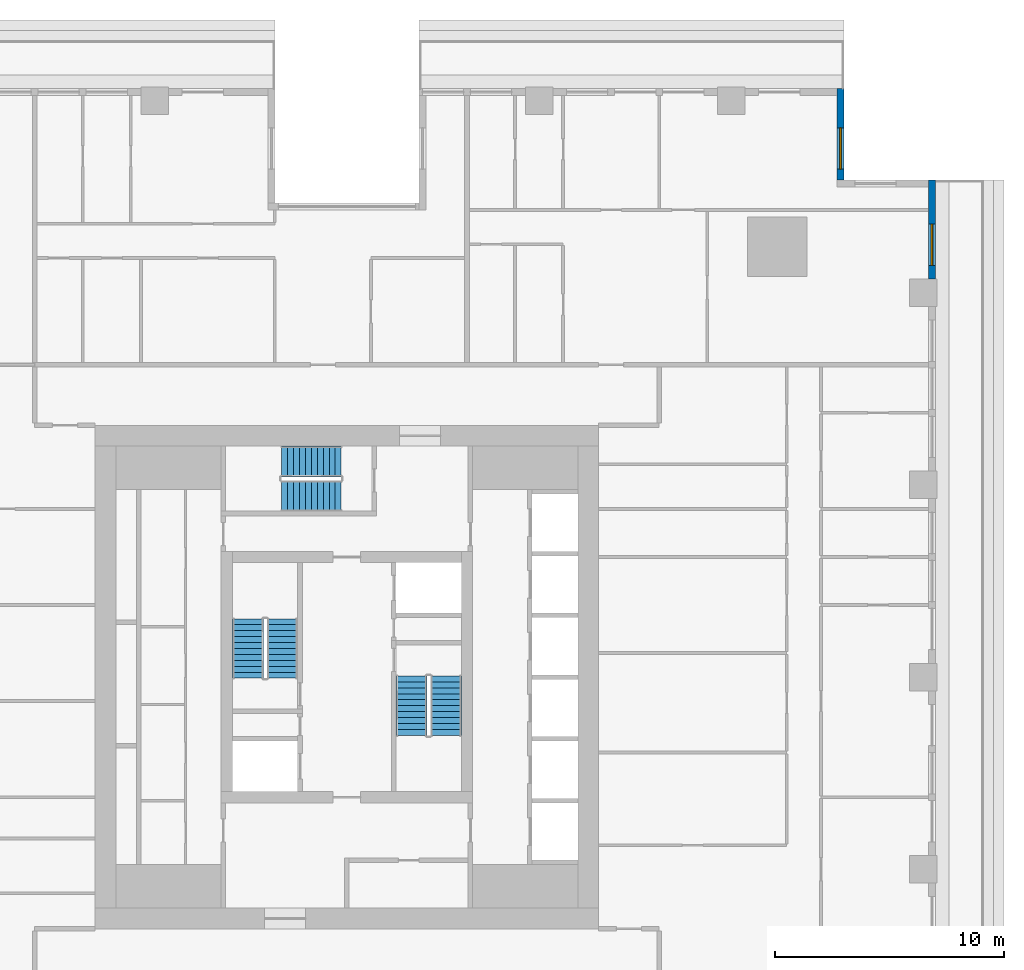
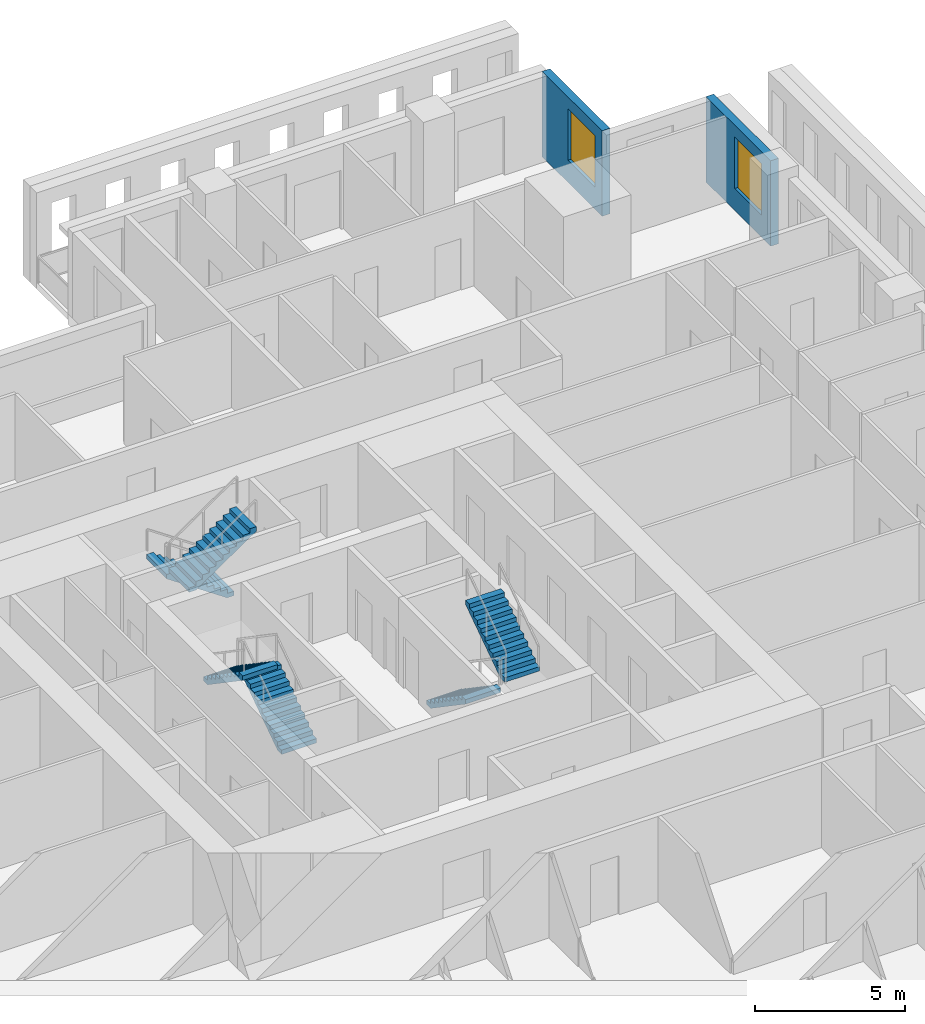
# One storey, part 10 of 16: 6 stair flights, 2 walls, 2 windows, 2 openings, 3 elements without a shape of their own.
"""IFC4 building model written with IfcOpenShell, lengths in metres."""

from ifc_helpers import new_model, si_unit, direction, frame, frame_2d, origin, place, context, subcontext, project, spatial, polyline, rectangle, outline, extrude, material, layer, layer_set, type_object, element, fill, aggregate, save


model = new_model("IFC4")

# Units and contexts
model_context = context("Model", 3, precision=1e-05, world=origin(), true_north=direction((0.0, 1.0)))
body_context = subcontext(model_context, "Body", "Model", "MODEL_VIEW")
ifc_project = project(units=[si_unit("LENGTHUNIT", "METRE"), si_unit("AREAUNIT", "SQUARE_METRE"), si_unit("VOLUMEUNIT", "CUBIC_METRE"), si_unit("PLANEANGLEUNIT", "RADIAN"), si_unit("MASSUNIT", "GRAM", prefix="KILO")], contexts=[model_context])

# Site, building, storey
site_placement = place(None, origin())
site = spatial("IfcSite", under=ifc_project, at=site_placement, CompositionType="ELEMENT")
building_placement = place(site_placement, origin())
building = spatial("IfcBuilding", under=site, at=building_placement, Name="Khepri Terraces", CompositionType="ELEMENT")
storey_placement = place(building_placement, frame((0.0, 0.0, 137.699951171875)))
storey = spatial("IfcBuildingStorey", under=building, at=storey_placement, Name="L32", CompositionType="ELEMENT", Elevation=137.699951171875)

# Wall, opening, window
ifc_material_1 = material(Name="Precast concrete C50/60 warm stone", Category="masonry")
ifc_layer = layer(ifc_material_1, 0.300048828125, Name="Precast concrete C50/60 warm stone", Category="masonry")
ifc_layer_set = layer_set([ifc_layer], Name="Precast concrete C50/60 warm stone")
wall_type = type_object("IfcWallType", Name="WL-EXT-PRECAST-300", PredefinedType="STANDARD", material=ifc_layer_set)
wall_1_placement = place(storey_placement, frame((25.570068359375, 17.39990234375, 0.0), z_axis=(0.0, 0.0, 1.0), x_axis=(0.0, 1.0, 0.0)))
wall_1 = element("IfcWall", 1, at=wall_1_placement, inside=storey, type_object=wall_type, Name="External wall L32 E", PredefinedType="STANDARD", context=body_context, shape_type="SweptSolid", body=[
    extrude(rectangle(XDim=4.320068359375, YDim=0.300048828125, at=frame_2d((2.16015625, 0.0))), origin(), (0.0, 0.0, 1.0), 3.47998046875),
])
opening_1_placement = place(wall_1_placement, frame((0.60009765625, 0.0, 0.89990234375)))
opening_1 = element("IfcOpeningElement", 2, at=opening_1_placement, cuts=wall_1, Name="Opening W1", PredefinedType="OPENING", context=body_context, shape_type="SweptSolid", body=[
    extrude(rectangle(XDim=1.800048828125, YDim=2.10009765625, at=frame_2d((0.89990234375, 1.050048828125))), frame((0.0, 0.16015625, 0.0), z_axis=(0.0, -1.0, 0.0), x_axis=(1.0, 0.0, 0.0)), (0.0, 0.0, 1.0), 0.320068359375),
])
ifc_material_2 = material(Name="Clear glass", Category="glass")
window_type = type_object("IfcWindowType", Name="WIN-RES-1800x2100", PartitioningType="SINGLE_PANEL", PredefinedType="WINDOW", material=ifc_material_2)
window_1_placement = place(opening_1_placement, origin())
window_1 = element("IfcWindow", 3, at=window_1_placement, inside=storey, type_object=window_type, Name="Window L32 E", OverallHeight=2.10009765625, OverallWidth=1.800048828125, PartitioningType="SINGLE_PANEL", PredefinedType="WINDOW", context=body_context, shape_type="SweptSolid", body=[
    extrude(rectangle(XDim=1.800048828125, YDim=2.10009765625, at=frame_2d((0.89990234375, 1.050048828125))), frame((0.0, 0.030029296875, 0.0), z_axis=(0.0, -1.0, 0.0), x_axis=(1.0, 0.0, 0.0)), (0.0, 0.0, 1.0), 0.06005859375),
])
fill(opening_1, window_1)

wall_2_placement = place(storey_placement, frame((21.570068359375, 21.719970703125, 0.0), z_axis=(0.0, 0.0, 1.0), x_axis=(0.0, 1.0, 0.0)))
wall_2 = element("IfcWall", 4, at=wall_2_placement, inside=storey, type_object=wall_type, Name="External wall L32 E", PredefinedType="STANDARD", context=body_context, shape_type="SweptSolid", body=[
    extrude(rectangle(XDim=4.0, YDim=0.300048828125, at=frame_2d((2.0, 0.0))), origin(), (0.0, 0.0, 1.0), 3.47998046875),
])
opening_2_placement = place(wall_2_placement, frame((0.47998046875, 0.0, 0.89990234375)))
opening_2 = element("IfcOpeningElement", 5, at=opening_2_placement, cuts=wall_2, Name="Opening W1", PredefinedType="OPENING", context=body_context, shape_type="SweptSolid", body=[
    extrude(rectangle(XDim=1.800048828125, YDim=2.10009765625, at=frame_2d((0.89990234375, 1.050048828125))), frame((0.0, 0.16015625, 0.0), z_axis=(0.0, -1.0, 0.0), x_axis=(1.0, 0.0, 0.0)), (0.0, 0.0, 1.0), 0.320068359375),
])
window_2_placement = place(opening_2_placement, origin())
window_2 = element("IfcWindow", 6, at=window_2_placement, inside=storey, type_object=window_type, Name="Window L32 E", OverallHeight=2.10009765625, OverallWidth=1.800048828125, PartitioningType="SINGLE_PANEL", PredefinedType="WINDOW", context=body_context, shape_type="SweptSolid", body=[
    extrude(rectangle(XDim=1.800048828125, YDim=2.10009765625, at=frame_2d((0.89990234375, 1.050048828125))), frame((0.0, 0.030029296875, 0.0), z_axis=(0.0, -1.0, 0.0), x_axis=(1.0, 0.0, 0.0)), (0.0, 0.0, 1.0), 0.06005859375),
])
fill(opening_2, window_2)

# Stair, stair flights
ifc_material_3 = material(Name="Concrete C40/50", Category="concrete")
stair_type = type_object("IfcStairType", Name="STAIR-RC-22R", PredefinedType="HALF_TURN_STAIR", material=ifc_material_3)
stair_1_placement = place(storey_placement, origin())
stair_1 = element("IfcStair", 7, at=stair_1_placement, inside=storey, type_object=stair_type, Name="L32 Exit Stair ST-1", PredefinedType="HALF_TURN_STAIR")
stair_flight_type = type_object("IfcStairFlightType", Name="SFL-RC-177.3", PredefinedType="STRAIGHT", material=ifc_material_3)
stair_flight_1_placement = place(storey_placement, frame((-2.824951171875, -0.050048828125, 0.0), z_axis=(0.0, 0.0, 1.0), x_axis=(0.0, 1.0, 0.0)))
stair_flight_1 = element("IfcStairFlight", 8, at=stair_flight_1_placement, type_object=stair_flight_type, Name="ST-1 flight 1", NumberOfRisers=11, NumberOfTreads=10, PredefinedType="STRAIGHT", RiserHeight=0.177272727, TreadLength=0.26, context=body_context, shape_type="SweptSolid", body=[
    extrude(outline(polyline([(0.0, 0.0), (0.0, 0.17724609375), (0.260009765625, 0.17724609375), (0.260009765625, 0.3544921875), (0.52001953125, 0.3544921875), (0.52001953125, 0.53173828125), (0.780029296875, 0.53173828125), (0.780029296875, 0.708984375), (1.0400390625, 0.708984375), (1.0400390625, 0.886474609375), (1.300048828125, 0.886474609375), (1.300048828125, 1.063720703125), (1.56005859375, 1.063720703125), (1.56005859375, 1.240966796875), (1.820068359375, 1.240966796875), (1.820068359375, 1.418212890625), (2.080078125, 1.418212890625), (2.080078125, 1.595458984375), (2.340087890625, 1.595458984375), (2.340087890625, 1.772705078125), (2.60009765625, 1.772705078125), (2.60009765625, 1.949951171875), (2.60009765625, 1.59130859375), (0.26611328125, 0.0), (0.0, 0.0)])), frame((0.0, 0.675048828125, 0.0), z_axis=(0.0, -1.0, 0.0), x_axis=(1.0, 0.0, 0.0)), (0.0, 0.0, 1.0), 1.35009765625),
])
stair_flight_2_placement = place(storey_placement, frame((-4.324951171875, 2.550048828125, 1.949951171875), z_axis=(0.0, 0.0, 1.0), x_axis=(0.0, -1.0, 0.0)))
stair_flight_2 = element("IfcStairFlight", 9, at=stair_flight_2_placement, type_object=stair_flight_type, Name="ST-1 flight 2", NumberOfRisers=11, NumberOfTreads=10, PredefinedType="STRAIGHT", RiserHeight=0.177272727, TreadLength=0.26, context=body_context, shape_type="SweptSolid", body=[
    extrude(outline(polyline([(0.0, 0.0), (0.0, 0.17724609375), (0.260009765625, 0.17724609375), (0.260009765625, 0.3544921875), (0.52001953125, 0.3544921875), (0.52001953125, 0.53173828125), (0.780029296875, 0.53173828125), (0.780029296875, 0.708984375), (1.0400390625, 0.708984375), (1.0400390625, 0.886474609375), (1.300048828125, 0.886474609375), (1.300048828125, 1.063720703125), (1.56005859375, 1.063720703125), (1.56005859375, 1.240966796875), (1.820068359375, 1.240966796875), (1.820068359375, 1.418212890625), (2.080078125, 1.418212890625), (2.080078125, 1.595458984375), (2.340087890625, 1.595458984375), (2.340087890625, 1.772705078125), (2.60009765625, 1.772705078125), (2.60009765625, 1.949951171875), (2.60009765625, 1.59130859375), (0.26611328125, 0.0), (0.0, 0.0)])), frame((0.0, 0.675048828125, 0.0), z_axis=(0.0, -1.0, 0.0), x_axis=(1.0, 0.0, 0.0)), (0.0, 0.0, 1.0), 1.35009765625),
])
aggregate(stair_1, [stair_flight_1, stair_flight_2])

stair_2_placement = place(storey_placement, origin())
stair_2 = element("IfcStair", 10, at=stair_2_placement, inside=storey, type_object=stair_type, Name="L32 Exit Stair ST-2", PredefinedType="HALF_TURN_STAIR")
stair_flight_3_placement = place(storey_placement, frame((2.824951171875, 0.050048828125, 0.0), z_axis=(0.0, 0.0, 1.0), x_axis=(0.0, -1.0, 0.0)))
stair_flight_3 = element("IfcStairFlight", 11, at=stair_flight_3_placement, type_object=stair_flight_type, Name="ST-2 flight 1", NumberOfRisers=11, NumberOfTreads=10, PredefinedType="STRAIGHT", RiserHeight=0.177272727, TreadLength=0.26, context=body_context, shape_type="SweptSolid", body=[
    extrude(outline(polyline([(0.0, 0.0), (0.0, 0.17724609375), (0.260009765625, 0.17724609375), (0.260009765625, 0.3544921875), (0.52001953125, 0.3544921875), (0.52001953125, 0.53173828125), (0.780029296875, 0.53173828125), (0.780029296875, 0.708984375), (1.0400390625, 0.708984375), (1.0400390625, 0.886474609375), (1.300048828125, 0.886474609375), (1.300048828125, 1.063720703125), (1.56005859375, 1.063720703125), (1.56005859375, 1.240966796875), (1.820068359375, 1.240966796875), (1.820068359375, 1.418212890625), (2.080078125, 1.418212890625), (2.080078125, 1.595458984375), (2.340087890625, 1.595458984375), (2.340087890625, 1.772705078125), (2.60009765625, 1.772705078125), (2.60009765625, 1.949951171875), (2.60009765625, 1.59130859375), (0.26611328125, 0.0), (0.0, 0.0)])), frame((0.0, 0.675048828125, 0.0), z_axis=(0.0, -1.0, 0.0), x_axis=(1.0, 0.0, 0.0)), (0.0, 0.0, 1.0), 1.35009765625),
])
stair_flight_4_placement = place(storey_placement, frame((4.324951171875, -2.550048828125, 1.949951171875), z_axis=(0.0, 0.0, 1.0), x_axis=(0.0, 1.0, 0.0)))
stair_flight_4 = element("IfcStairFlight", 12, at=stair_flight_4_placement, type_object=stair_flight_type, Name="ST-2 flight 2", NumberOfRisers=11, NumberOfTreads=10, PredefinedType="STRAIGHT", RiserHeight=0.177272727, TreadLength=0.26, context=body_context, shape_type="SweptSolid", body=[
    extrude(outline(polyline([(0.0, 0.0), (0.0, 0.17724609375), (0.260009765625, 0.17724609375), (0.260009765625, 0.3544921875), (0.52001953125, 0.3544921875), (0.52001953125, 0.53173828125), (0.780029296875, 0.53173828125), (0.780029296875, 0.708984375), (1.0400390625, 0.708984375), (1.0400390625, 0.886474609375), (1.300048828125, 0.886474609375), (1.300048828125, 1.063720703125), (1.56005859375, 1.063720703125), (1.56005859375, 1.240966796875), (1.820068359375, 1.240966796875), (1.820068359375, 1.418212890625), (2.080078125, 1.418212890625), (2.080078125, 1.595458984375), (2.340087890625, 1.595458984375), (2.340087890625, 1.772705078125), (2.60009765625, 1.772705078125), (2.60009765625, 1.949951171875), (2.60009765625, 1.59130859375), (0.26611328125, 0.0), (0.0, 0.0)])), frame((0.0, 0.675048828125, 0.0), z_axis=(0.0, -1.0, 0.0), x_axis=(1.0, 0.0, 0.0)), (0.0, 0.0, 1.0), 1.35009765625),
])
aggregate(stair_2, [stair_flight_3, stair_flight_4])

stair_3_placement = place(storey_placement, origin())
stair_3 = element("IfcStair", 13, at=stair_3_placement, inside=storey, type_object=stair_type, Name="L32 Exit Stair ST-3", PredefinedType="HALF_TURN_STAIR")
stair_flight_5_placement = place(storey_placement, frame((-0.25, 9.425048828125, 0.0), z_axis=(0.0, 0.0, 1.0), x_axis=(-1.0, 0.0, 0.0)))
stair_flight_5 = element("IfcStairFlight", 14, at=stair_flight_5_placement, type_object=stair_flight_type, Name="ST-3 flight 1", NumberOfRisers=11, NumberOfTreads=10, PredefinedType="STRAIGHT", RiserHeight=0.177272727, TreadLength=0.26, context=body_context, shape_type="SweptSolid", body=[
    extrude(outline(polyline([(0.0, 0.0), (0.0, 0.17724609375), (0.260009765625, 0.17724609375), (0.260009765625, 0.3544921875), (0.52001953125, 0.3544921875), (0.52001953125, 0.53173828125), (0.780029296875, 0.53173828125), (0.780029296875, 0.708984375), (1.0400390625, 0.708984375), (1.0400390625, 0.886474609375), (1.300048828125, 0.886474609375), (1.300048828125, 1.063720703125), (1.56005859375, 1.063720703125), (1.56005859375, 1.240966796875), (1.820068359375, 1.240966796875), (1.820068359375, 1.418212890625), (2.080078125, 1.418212890625), (2.080078125, 1.595458984375), (2.340087890625, 1.595458984375), (2.340087890625, 1.772705078125), (2.60009765625, 1.772705078125), (2.60009765625, 1.949951171875), (2.60009765625, 1.59130859375), (0.26611328125, 0.0), (0.0, 0.0)])), frame((0.0, 0.675048828125, 0.0), z_axis=(0.0, -1.0, 0.0), x_axis=(1.0, 0.0, 0.0)), (0.0, 0.0, 1.0), 1.35009765625),
])
stair_flight_6_placement = place(storey_placement, frame((-2.85009765625, 7.925048828125, 1.949951171875), z_axis=(0.0, 0.0, 1.0), x_axis=(1.0, 0.0, 0.0)))
stair_flight_6 = element("IfcStairFlight", 15, at=stair_flight_6_placement, type_object=stair_flight_type, Name="ST-3 flight 2", NumberOfRisers=11, NumberOfTreads=10, PredefinedType="STRAIGHT", RiserHeight=0.177272727, TreadLength=0.26, context=body_context, shape_type="SweptSolid", body=[
    extrude(outline(polyline([(0.0, 0.0), (0.0, 0.17724609375), (0.260009765625, 0.17724609375), (0.260009765625, 0.3544921875), (0.52001953125, 0.3544921875), (0.52001953125, 0.53173828125), (0.780029296875, 0.53173828125), (0.780029296875, 0.708984375), (1.0400390625, 0.708984375), (1.0400390625, 0.886474609375), (1.300048828125, 0.886474609375), (1.300048828125, 1.063720703125), (1.56005859375, 1.063720703125), (1.56005859375, 1.240966796875), (1.820068359375, 1.240966796875), (1.820068359375, 1.418212890625), (2.080078125, 1.418212890625), (2.080078125, 1.595458984375), (2.340087890625, 1.595458984375), (2.340087890625, 1.772705078125), (2.60009765625, 1.772705078125), (2.60009765625, 1.949951171875), (2.60009765625, 1.59130859375), (0.26611328125, 0.0), (0.0, 0.0)])), frame((0.0, 0.675048828125, 0.0), z_axis=(0.0, -1.0, 0.0), x_axis=(1.0, 0.0, 0.0)), (0.0, 0.0, 1.0), 1.35009765625),
])
aggregate(stair_3, [stair_flight_5, stair_flight_6])

save(model, "model.ifc")
